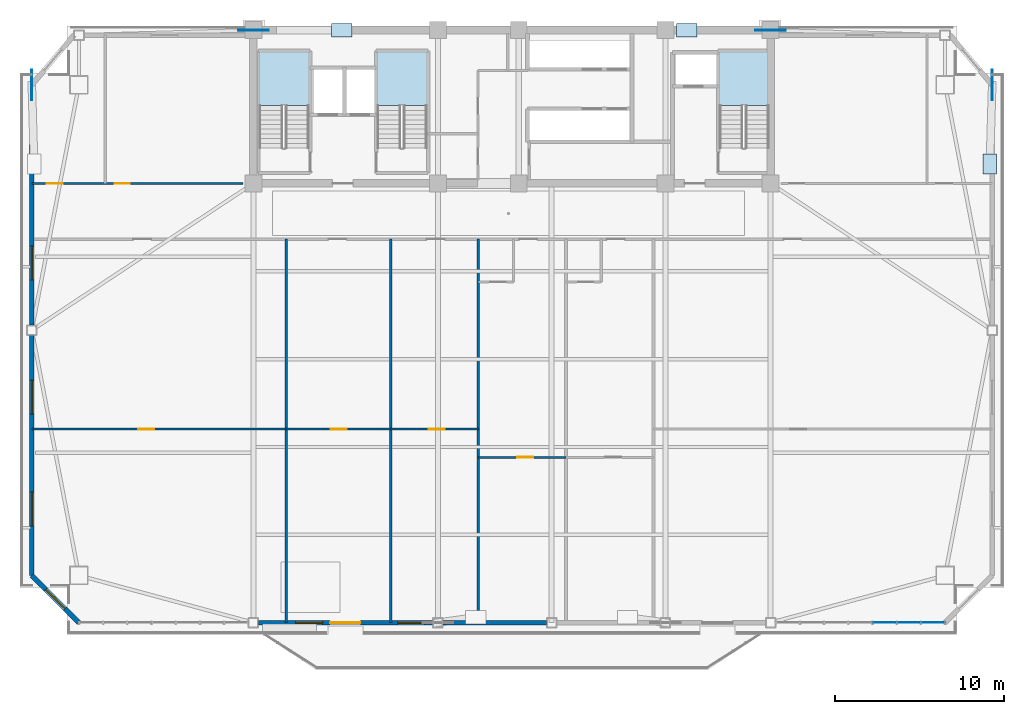
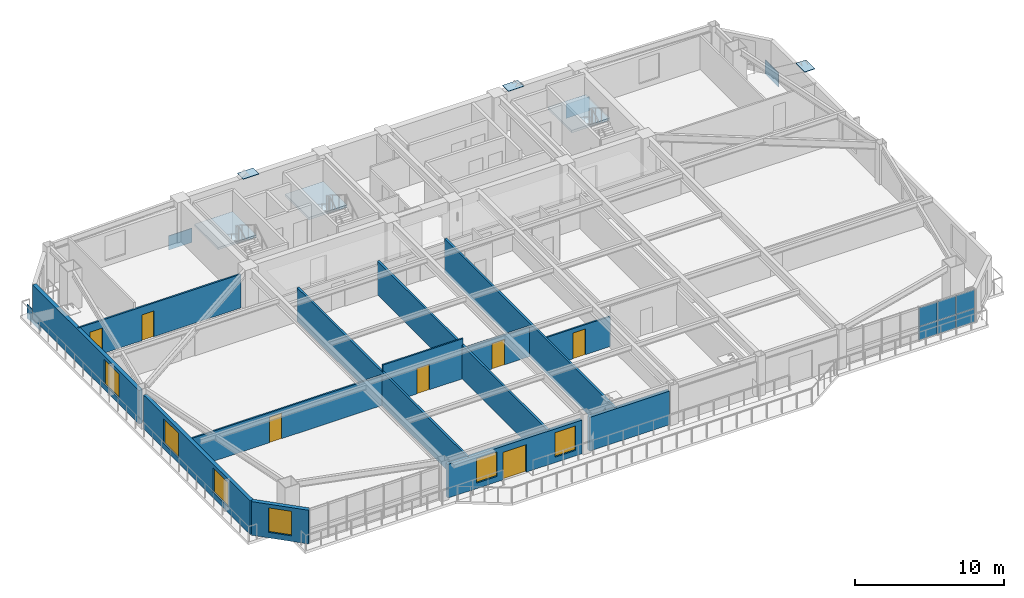
# One storey, part 8 of 17: 13 plates, 13 walls, 7 doors, 6 windows, 3 slabs, 13 openings, 4 elements without a shape of their own.
"""IFC4 building model written with IfcOpenShell, lengths in metres."""

from ifc_helpers import new_model, si_unit, direction, frame, frame_2d, origin, origin_2d, place, context, subcontext, project, spatial, polyline, rectangle, outline, extrude, source, transform, mapped, material, layer, layer_set, type_object, element, fill, aggregate, save


model = new_model("IFC4")

# Units and contexts
model_context = context("Model", 3, precision=1e-05, world=origin(), true_north=direction((0.0, 1.0)))
body_context = subcontext(model_context, "Body", "Model", "MODEL_VIEW")
ifc_project = project(units=[si_unit("LENGTHUNIT", "METRE"), si_unit("AREAUNIT", "SQUARE_METRE"), si_unit("VOLUMEUNIT", "CUBIC_METRE"), si_unit("PLANEANGLEUNIT", "RADIAN"), si_unit("MASSUNIT", "GRAM", prefix="KILO")], contexts=[model_context])

# Site, building, storey
site_placement = place(None, origin())
site = spatial("IfcSite", under=ifc_project, at=site_placement, CompositionType="ELEMENT")
building_placement = place(site_placement, origin())
building = spatial("IfcBuilding", under=site, at=building_placement, Name="Giltprow Tower", CompositionType="ELEMENT")
storey_placement = place(building_placement, frame((0.0, 0.0, 202.699951171875)))
storey = spatial("IfcBuildingStorey", under=building, at=storey_placement, Name="L51", CompositionType="ELEMENT", Elevation=202.699951171875)

# Stair, slab
ifc_material_1 = material(Name="Concrete C40", Category="concrete")
stair_type_1 = type_object("IfcStairType", Name="STR-ST-1", PredefinedType="HALF_TURN_STAIR", material=ifc_material_1)
stair_1_placement = place(storey_placement, origin())
stair_1 = element("IfcStair", 1, at=stair_1_placement, inside=storey, type_object=stair_type_1, Name="L51 Core Exit Stair ST-1", PredefinedType="HALF_TURN_STAIR")
ifc_layer_1 = layer(ifc_material_1, 0.179931640625, Name="Concrete C40")
ifc_layer_set_1 = layer_set([ifc_layer_1], Name="Concrete C40")
slab_type_1 = type_object("IfcSlabType", Name="SLD-ST-1", PredefinedType="LANDING", material=ifc_layer_set_1)
slab_1_placement = place(storey_placement, frame((0.0, 0.0, 1.570068359375)))
slab_1 = element("IfcSlab", 2, at=slab_1_placement, type_object=slab_type_1, Name="ST-1 landing 1", PredefinedType="LANDING", context=body_context, shape_type="SweptSolid", body=[
    extrude(outline(polyline([(23.159912109375, 42.070068359375), (23.159912109375, 45.25), (20.199951171875, 45.25), (20.199951171875, 42.070068359375), (23.159912109375, 42.070068359375)])), origin(), (0.0, 0.0, 1.0), 0.179931640625),
])
aggregate(stair_1, [slab_1])

stair_type_2 = type_object("IfcStairType", Name="STR-ST-2", PredefinedType="HALF_TURN_STAIR", material=ifc_material_1)
stair_2_placement = place(storey_placement, origin())
stair_2 = element("IfcStair", 3, at=stair_2_placement, inside=storey, type_object=stair_type_2, Name="L51 Core Exit Stair ST-2", PredefinedType="HALF_TURN_STAIR")
ifc_layer_2 = layer(ifc_material_1, 0.18798828125, Name="Concrete C40")
ifc_layer_set_2 = layer_set([ifc_layer_2], Name="Concrete C40")
slab_type_2 = type_object("IfcSlabType", Name="SLD-ST-2", PredefinedType="LANDING", material=ifc_layer_set_2)
slab_2_placement = place(storey_placement, frame((0.0, 0.0, 1.56201171875)))
slab_2 = element("IfcSlab", 4, at=slab_2_placement, type_object=slab_type_2, Name="ST-2 landing 1", PredefinedType="LANDING", context=body_context, shape_type="SweptSolid", body=[
    extrude(outline(polyline([(30.159912109375, 42.070068359375), (30.159912109375, 45.25), (27.199951171875, 45.25), (27.199951171875, 42.070068359375), (30.159912109375, 42.070068359375)])), origin(), (0.0, 0.0, 1.0), 0.18798828125),
])
aggregate(stair_2, [slab_2])

stair_type_3 = type_object("IfcStairType", Name="STR-ST-3", PredefinedType="HALF_TURN_STAIR", material=ifc_material_1)
stair_3_placement = place(storey_placement, origin())
stair_3 = element("IfcStair", 5, at=stair_3_placement, inside=storey, type_object=stair_type_3, Name="L51 Core Exit Stair ST-3", PredefinedType="HALF_TURN_STAIR")
ifc_layer_3 = layer(ifc_material_1, 0.196044921875, Name="Concrete C40")
ifc_layer_set_3 = layer_set([ifc_layer_3], Name="Concrete C40")
slab_type_3 = type_object("IfcSlabType", Name="SLD-ST-3", PredefinedType="LANDING", material=ifc_layer_set_3)
slab_3_placement = place(storey_placement, frame((0.0, 0.0, 1.553955078125)))
slab_3 = element("IfcSlab", 6, at=slab_3_placement, type_object=slab_type_3, Name="ST-3 landing 1", PredefinedType="LANDING", context=body_context, shape_type="SweptSolid", body=[
    extrude(outline(polyline([(50.4599609375, 42.070068359375), (50.4599609375, 45.25), (47.5, 45.25), (47.5, 42.070068359375), (50.4599609375, 42.070068359375)])), origin(), (0.0, 0.0, 1.0), 0.196044921875),
])
aggregate(stair_3, [slab_3])

# Plates
ifc_material_2 = material(Name="Structural steel Q420GJC", Category="steel")
plate_type_1 = type_object("IfcPlateType", Name="PLT-NODE-MBN1", PredefinedType="USERDEFINED", material=ifc_material_2)
shared_shape_1 = source(origin(), body_context, "Body", "SweptSolid", [
    extrude(rectangle(XDim=1.800048828125, YDim=0.050048828125, at=origin_2d()), origin(), (0.0, 0.0, 1.0), 1.14990234375),
])
for number, where, z_axis, x_axis, name in (
    (7, (19.85009765625, 46.550048828125, -0.71484375), (0.0, 0.0, 1.0), (1.0, 0.0, 0.0), "Mega-Brace Node L51-N-LA"),
    (8, (50.550048828125, 46.550048828125, -0.71484375), (0.0, 0.0, 1.0), (1.0, 0.0, 0.0), "Mega-Brace Node L51-N-RA"),
    (9, (6.702880859375, 43.300048828125, -0.574951171875), (0.0, 0.0, 1.0), (0.0, 1.0, 0.0), "Mega-Brace Node L51-W-RA"),
    (10, (63.697998046875, 43.300048828125, -0.574951171875), (0.0, 0.0, 1.0), (0.0, 1.0, 0.0), "Mega-Brace Node L51-E-RA"),
):
    element("IfcPlate", number, at=place(storey_placement, frame(where, z_axis=z_axis, x_axis=x_axis)), inside=storey, type_object=plate_type_1, Name=name, ObjectType="GUSSET", PredefinedType="USERDEFINED", context=body_context, shape_type="MappedRepresentation", body=[
        mapped(shared_shape_1, transform((0.0, 0.0, 0.0), x_axis=(1.0, 0.0, 0.0), y_axis=(0.0, 1.0, 0.0), z_axis=(0.0, 0.0, 1.0), scale=1.0)),
    ])
plate_type_2 = type_object("IfcPlateType", Name="PLT-CAP-SEAL", PredefinedType="USERDEFINED", material=ifc_material_2)
shared_shape_2 = source(origin(), body_context, "Body", "SweptSolid", [
    extrude(rectangle(XDim=1.199951171875, YDim=0.800048828125, at=origin_2d()), origin(), (0.0, 0.0, 1.0), 0.034912109375),
])
for number, where, z_axis, x_axis, name in (
    (11, (25.10009765625, 46.550048828125, 3.3427734375), (0.0, 0.0, 1.0), (1.0, 0.0, 0.0), "Mega-Brace Node L51-N-LB"),
    (12, (45.56689453125, 46.550048828125, 3.3427734375), (0.0, 0.0, 1.0), (1.0, 0.0, 0.0), "Mega-Brace Node L51-N-RB"),
    (13, (63.55908203125, 38.60302734375, 3.482421875), (0.0, 0.0, 1.0), (0.0, 1.0, 0.0), "Mega-Brace Node L51-E-RB"),
):
    element("IfcPlate", number, at=place(storey_placement, frame(where, z_axis=z_axis, x_axis=x_axis)), inside=storey, type_object=plate_type_2, Name=name, ObjectType="SPLICE", PredefinedType="USERDEFINED", context=body_context, shape_type="MappedRepresentation", body=[
        mapped(shared_shape_2, transform((0.0, 0.0, 0.0), x_axis=(1.0, 0.0, 0.0), y_axis=(0.0, 1.0, 0.0), z_axis=(0.0, 0.0, 1.0), scale=1.0)),
    ])

# Curtain wall, plates
ifc_material_3 = material(Name="Anodized bronze", Category="metal")
ifc_layer_4 = layer(ifc_material_3, 0.179931640625, Name="Anodized bronze")
ifc_layer_set_4 = layer_set([ifc_layer_4], Name="Anodized bronze")
curtain_wall_type = type_object("IfcCurtainWallType", Name="CW-HTL-BRONZE", PredefinedType="NOTDEFINED", material=ifc_layer_set_4)
curtain_wall_placement = place(storey_placement, origin())
curtain_wall = element("IfcCurtainWall", 14, at=curtain_wall_placement, inside=storey, type_object=curtain_wall_type, Name="L51 South Recessed Curtain Wall 6", PredefinedType="NOTDEFINED")
ifc_material_4 = material(Name="Insulated glass", Category="glass")
plate_type_3 = type_object("IfcPlateType", Name="CW-PANEL-IGU-28", PredefinedType="CURTAIN_PANEL", material=ifc_material_4)
shared_shape_3 = source(origin(), body_context, "Body", "SweptSolid", [
    extrude(rectangle(XDim=1.405029296875, YDim=0.028076171875, at=origin_2d()), origin(), (0.0, 0.0, 1.0), 1.0869140625),
])
plate_1_placement = place(storey_placement, frame((57.30908203125, 11.385986328125, 0.0546875), z_axis=(0.0, 0.0, 1.0), x_axis=(1.0, 0.0, 0.0)))
plate_1 = element("IfcPlate", 15, at=plate_1_placement, type_object=plate_type_3, Name="L51 South Recessed Curtain Wall 6 Glazing Panel 5-1", PredefinedType="CURTAIN_PANEL", context=body_context, shape_type="MappedRepresentation", body=[
    mapped(shared_shape_3, transform((0.0, 0.0, 0.0), x_axis=(1.0, 0.0, 0.0), y_axis=(0.0, 1.0, 0.0), z_axis=(0.0, 0.0, 1.0), scale=1.0)),
])
plate_2_placement = place(storey_placement, frame((58.7451171875, 11.385986328125, 0.0546875), z_axis=(0.0, 0.0, 1.0), x_axis=(1.0, 0.0, 0.0)))
plate_2 = element("IfcPlate", 16, at=plate_2_placement, type_object=plate_type_3, Name="L51 South Recessed Curtain Wall 6 Glazing Panel 6-1", PredefinedType="CURTAIN_PANEL", context=body_context, shape_type="MappedRepresentation", body=[
    mapped(shared_shape_3, transform((0.0, 0.0, 0.0), x_axis=(1.0, 0.0, 0.0), y_axis=(0.0, 1.0, 0.0), z_axis=(0.0, 0.0, 1.0), scale=1.0)),
])
plate_3_placement = place(storey_placement, frame((60.179931640625, 11.385986328125, 0.0546875), z_axis=(0.0, 0.0, 1.0), x_axis=(1.0, 0.0, 0.0)))
plate_3 = element("IfcPlate", 17, at=plate_3_placement, type_object=plate_type_3, Name="L51 South Recessed Curtain Wall 6 Glazing Panel 7-1", PredefinedType="CURTAIN_PANEL", context=body_context, shape_type="MappedRepresentation", body=[
    mapped(shared_shape_3, transform((0.0, 0.0, 0.0), x_axis=(1.0, 0.0, 0.0), y_axis=(0.0, 1.0, 0.0), z_axis=(0.0, 0.0, 1.0), scale=1.0)),
])
shared_shape_4 = source(origin(), body_context, "Body", "SweptSolid", [
    extrude(rectangle(XDim=1.405029296875, YDim=0.028076171875, at=origin_2d()), origin(), (0.0, 0.0, 1.0), 1.527099609375),
])
plate_4_placement = place(storey_placement, frame((57.30908203125, 11.385986328125, 1.16845703125), z_axis=(0.0, 0.0, 1.0), x_axis=(1.0, 0.0, 0.0)))
plate_4 = element("IfcPlate", 18, at=plate_4_placement, type_object=plate_type_3, Name="L51 South Recessed Curtain Wall 6 Glazing Panel 5-2", PredefinedType="CURTAIN_PANEL", context=body_context, shape_type="MappedRepresentation", body=[
    mapped(shared_shape_4, transform((0.0, 0.0, 0.0), x_axis=(1.0, 0.0, 0.0), y_axis=(0.0, 1.0, 0.0), z_axis=(0.0, 0.0, 1.0), scale=1.0)),
])
plate_5_placement = place(storey_placement, frame((58.7451171875, 11.385986328125, 1.16845703125), z_axis=(0.0, 0.0, 1.0), x_axis=(1.0, 0.0, 0.0)))
plate_5 = element("IfcPlate", 19, at=plate_5_placement, type_object=plate_type_3, Name="L51 South Recessed Curtain Wall 6 Glazing Panel 6-2", PredefinedType="CURTAIN_PANEL", context=body_context, shape_type="MappedRepresentation", body=[
    mapped(shared_shape_4, transform((0.0, 0.0, 0.0), x_axis=(1.0, 0.0, 0.0), y_axis=(0.0, 1.0, 0.0), z_axis=(0.0, 0.0, 1.0), scale=1.0)),
])
plate_6_placement = place(storey_placement, frame((60.179931640625, 11.385986328125, 1.16845703125), z_axis=(0.0, 0.0, 1.0), x_axis=(1.0, 0.0, 0.0)))
plate_6 = element("IfcPlate", 20, at=plate_6_placement, type_object=plate_type_3, Name="L51 South Recessed Curtain Wall 6 Glazing Panel 7-2", PredefinedType="CURTAIN_PANEL", context=body_context, shape_type="MappedRepresentation", body=[
    mapped(shared_shape_4, transform((0.0, 0.0, 0.0), x_axis=(1.0, 0.0, 0.0), y_axis=(0.0, 1.0, 0.0), z_axis=(0.0, 0.0, 1.0), scale=1.0)),
])
aggregate(curtain_wall, [plate_1, plate_4, plate_2, plate_5, plate_3, plate_6])

# Wall, opening, window
ifc_material_5 = material(Name="Precast concrete C40", Category="concrete")
ifc_layer_5 = layer(ifc_material_5, 0.300048828125, Name="Precast concrete C40")
ifc_layer_set_5 = layer_set([ifc_layer_5], Name="Precast concrete C40")
wall_type_1 = type_object("IfcWallType", Name="EW-NOTCH-CHAMFER-300", PredefinedType="SOLIDWALL", material=ifc_layer_set_5)
wall_1_placement = place(storey_placement, frame((6.702880859375, 14.18603515625, 0.0), z_axis=(0.0, 0.0, 1.0), x_axis=(0.707106781187, -0.707106781187, 0.0)))
wall_1 = element("IfcWall", 21, at=wall_1_placement, inside=storey, type_object=wall_type_1, Name="L51 Corner Notch Wall SW", PredefinedType="SOLIDWALL", context=body_context, shape_type="SweptSolid", body=[
    extrude(rectangle(XDim=3.9599609375, YDim=0.300048828125, at=frame_2d((1.97998046875, 0.0))), origin(), (0.0, 0.0, 1.0), 2.75),
])
opening_1_placement = place(wall_1_placement, frame((1.179931640625, 0.0, 0.449951171875)))
opening_1 = element("IfcOpeningElement", 22, at=opening_1_placement, cuts=wall_1, Name="Opening WN17", PredefinedType="OPENING", context=body_context, shape_type="SweptSolid", body=[
    extrude(rectangle(XDim=1.60009765625, YDim=2.0, at=frame_2d((0.800048828125, 1.0))), frame((0.0, 0.159912109375, 0.0), z_axis=(0.0, -1.0, 0.0), x_axis=(1.0, 0.0, 0.0)), (0.0, 0.0, 1.0), 0.320068359375),
])
window_type_1 = type_object("IfcWindowType", Name="WN-COR-1600x2000", PartitioningType="SINGLE_PANEL", PredefinedType="WINDOW", material=ifc_material_4)
shared_shape_5 = source(origin(), body_context, "Body", "SweptSolid", [
    extrude(rectangle(XDim=1.60009765625, YDim=2.0, at=frame_2d((0.800048828125, 1.0))), frame((0.0, 0.030029296875, 0.0), z_axis=(0.0, -1.0, 0.0), x_axis=(1.0, 0.0, 0.0)), (0.0, 0.0, 1.0), 0.06005859375),
])
window_1_placement = place(opening_1_placement, origin())
window_1 = element("IfcWindow", 23, at=window_1_placement, inside=storey, type_object=window_type_1, Name="L51 Corner Notch Window SW", OverallHeight=2.0, OverallWidth=1.60009765625, PartitioningType="SINGLE_PANEL", PredefinedType="WINDOW", context=body_context, shape_type="MappedRepresentation", body=[
    mapped(shared_shape_5, transform((0.0, 0.0, 0.0), x_axis=(1.0, 0.0, 0.0), y_axis=(0.0, 1.0, 0.0), z_axis=(0.0, 0.0, 1.0), scale=1.0)),
])
fill(opening_1, window_1)

# Wall, openings, windows, door
ifc_layer_6 = layer(ifc_material_5, 0.280029296875, Name="Precast concrete C40")
ifc_layer_set_6 = layer_set([ifc_layer_6], Name="Precast concrete C40")
wall_type_2 = type_object("IfcWallType", Name="EW-TOW-BRONZE-280", PredefinedType="SOLIDWALL", material=ifc_layer_set_6)
wall_2_placement = place(storey_placement, frame((20.14990234375, 11.385986328125, 0.0), z_axis=(0.0, 0.0, 1.0), x_axis=(1.0, 0.0, 0.0)))
wall_2 = element("IfcWall", 24, at=wall_2_placement, inside=storey, type_object=wall_type_2, Name="L51 South Expressed Frame Wall 2", PredefinedType="SOLIDWALL", context=body_context, shape_type="SweptSolid", body=[
    extrude(rectangle(XDim=10.35009765625, YDim=0.280029296875, at=frame_2d((5.175048828125, 0.0))), origin(), (0.0, 0.0, 1.0), 2.75),
])
opening_2_placement = place(wall_2_placement, frame((4.25, 0.0, 0.0)))
opening_2 = element("IfcOpeningElement", 25, at=opening_2_placement, cuts=wall_2, Name="Opening ED25", PredefinedType="OPENING", context=body_context, shape_type="SweptSolid", body=[
    extrude(rectangle(XDim=1.800048828125, YDim=2.25, at=frame_2d((0.89990234375, 1.125))), frame((0.0, 0.14990234375, 0.0), z_axis=(0.0, -1.0, 0.0), x_axis=(1.0, 0.0, 0.0)), (0.0, 0.0, 1.0), 0.300048828125),
])
opening_3_placement = place(wall_2_placement, frame((2.205078125, 0.0, 0.449951171875)))
opening_3 = element("IfcOpeningElement", 26, at=opening_3_placement, cuts=wall_2, Name="Opening WN17", PredefinedType="OPENING", context=body_context, shape_type="SweptSolid", body=[
    extrude(rectangle(XDim=1.60009765625, YDim=2.0, at=frame_2d((0.800048828125, 1.0))), frame((0.0, 0.14990234375, 0.0), z_axis=(0.0, -1.0, 0.0), x_axis=(1.0, 0.0, 0.0)), (0.0, 0.0, 1.0), 0.300048828125),
])
opening_4_placement = place(wall_2_placement, frame((8.27001953125, 0.0, 0.449951171875)))
opening_4 = element("IfcOpeningElement", 27, at=opening_4_placement, cuts=wall_2, Name="Opening WN17", PredefinedType="OPENING", context=body_context, shape_type="SweptSolid", body=[
    extrude(rectangle(XDim=1.60009765625, YDim=2.0, at=frame_2d((0.800048828125, 1.0))), frame((0.0, 0.14990234375, 0.0), z_axis=(0.0, -1.0, 0.0), x_axis=(1.0, 0.0, 0.0)), (0.0, 0.0, 1.0), 0.300048828125),
])
window_2_placement = place(opening_3_placement, origin())
window_2 = element("IfcWindow", 28, at=window_2_placement, inside=storey, type_object=window_type_1, Name="L51 South Window 2A", OverallHeight=2.0, OverallWidth=1.60009765625, PartitioningType="SINGLE_PANEL", PredefinedType="WINDOW", context=body_context, shape_type="MappedRepresentation", body=[
    mapped(shared_shape_5, transform((0.0, 0.0, 0.0), x_axis=(1.0, 0.0, 0.0), y_axis=(0.0, 1.0, 0.0), z_axis=(0.0, 0.0, 1.0), scale=1.0)),
])
fill(opening_3, window_2)
window_3_placement = place(opening_4_placement, origin())
window_3 = element("IfcWindow", 29, at=window_3_placement, inside=storey, type_object=window_type_1, Name="L51 South Window 2B", OverallHeight=2.0, OverallWidth=1.60009765625, PartitioningType="SINGLE_PANEL", PredefinedType="WINDOW", context=body_context, shape_type="MappedRepresentation", body=[
    mapped(shared_shape_5, transform((0.0, 0.0, 0.0), x_axis=(1.0, 0.0, 0.0), y_axis=(0.0, 1.0, 0.0), z_axis=(0.0, 0.0, 1.0), scale=1.0)),
])
fill(opening_4, window_3)
ifc_material_6 = material(Name="Anodized bronze and glass", Category="glass")
door_type_1 = type_object("IfcDoorType", Name="DR-BALC-SLIDE-1800", OperationType="SLIDING_TO_LEFT", PredefinedType="DOOR", material=ifc_material_6)
shared_shape_6 = source(origin(), body_context, "Body", "SweptSolid", [
    extrude(rectangle(XDim=1.800048828125, YDim=2.25, at=frame_2d((0.89990234375, 1.125))), frame((0.0, 0.02490234375, 0.0), z_axis=(0.0, -1.0, 0.0), x_axis=(1.0, 0.0, 0.0)), (0.0, 0.0, 1.0), 0.050048828125),
])
door_1_placement = place(opening_2_placement, origin())
door_1 = element("IfcDoor", 30, at=door_1_placement, inside=storey, type_object=door_type_1, Name="L51 Waterfront Balcony Sliding Door 1", OperationType="SLIDING_TO_LEFT", OverallHeight=2.25, OverallWidth=1.800048828125, PredefinedType="DOOR", context=body_context, shape_type="MappedRepresentation", body=[
    mapped(shared_shape_6, transform((0.0, 0.0, 0.0), x_axis=(1.0, 0.0, 0.0), y_axis=(0.0, 1.0, 0.0), z_axis=(0.0, 0.0, 1.0), scale=1.0)),
])
fill(opening_2, door_1)

# Wall
wall_3_placement = place(storey_placement, frame((31.10009765625, 11.385986328125, 0.0), z_axis=(0.0, 0.0, 1.0), x_axis=(1.0, 0.0, 0.0)))
element("IfcWall", 31, at=wall_3_placement, inside=storey, type_object=wall_type_2, Name="L51 South Expressed Frame Wall 3", PredefinedType="SOLIDWALL", context=body_context, shape_type="SweptSolid", body=[
    extrude(rectangle(XDim=6.14990234375, YDim=0.280029296875, at=frame_2d((3.074951171875, 0.0))), origin(), (0.0, 0.0, 1.0), 2.75),
])

# Wall, openings, windows
wall_4_placement = place(storey_placement, frame((6.702880859375, 14.18603515625, 0.0), z_axis=(0.0, 0.0, 1.0), x_axis=(0.0, 1.0, 0.0)))
wall_4 = element("IfcWall", 32, at=wall_4_placement, inside=storey, type_object=wall_type_2, Name="L51 W Wing Masonry Wall 1", PredefinedType="SOLIDWALL", context=body_context, shape_type="SweptSolid", body=[
    extrude(rectangle(XDim=14.257080078125, YDim=0.280029296875, at=frame_2d((7.12841796875, 0.0))), origin(), (0.0, 0.0, 1.0), 2.75),
])
opening_5_placement = place(wall_4_placement, frame((2.947021484375, 0.0, 0.449951171875)))
opening_5 = element("IfcOpeningElement", 33, at=opening_5_placement, cuts=wall_4, Name="Opening WN21", PredefinedType="OPENING", context=body_context, shape_type="SweptSolid", body=[
    extrude(rectangle(XDim=2.0, YDim=2.0, at=frame_2d((1.0, 1.0))), frame((0.0, 0.14990234375, 0.0), z_axis=(0.0, -1.0, 0.0), x_axis=(1.0, 0.0, 0.0)), (0.0, 0.0, 1.0), 0.300048828125),
])
opening_6_placement = place(wall_4_placement, frame((9.574951171875, 0.0, 0.449951171875)))
opening_6 = element("IfcOpeningElement", 34, at=opening_6_placement, cuts=wall_4, Name="Opening WN21", PredefinedType="OPENING", context=body_context, shape_type="SweptSolid", body=[
    extrude(rectangle(XDim=2.0, YDim=2.0, at=frame_2d((1.0, 1.0))), frame((0.0, 0.14990234375, 0.0), z_axis=(0.0, -1.0, 0.0), x_axis=(1.0, 0.0, 0.0)), (0.0, 0.0, 1.0), 0.300048828125),
])
window_type_2 = type_object("IfcWindowType", Name="WN-HTL-2000x2000", PartitioningType="DOUBLE_PANEL_VERTICAL", PredefinedType="WINDOW", material=ifc_material_4)
shared_shape_7 = source(origin(), body_context, "Body", "SweptSolid", [
    extrude(rectangle(XDim=2.0, YDim=2.0, at=frame_2d((1.0, 1.0))), frame((0.0, 0.030029296875, 0.0), z_axis=(0.0, -1.0, 0.0), x_axis=(1.0, 0.0, 0.0)), (0.0, 0.0, 1.0), 0.06005859375),
])
window_4_placement = place(opening_5_placement, origin())
window_4 = element("IfcWindow", 35, at=window_4_placement, inside=storey, type_object=window_type_2, Name="L51 W Wing Window 1-1A", OverallHeight=2.0, OverallWidth=2.0, PartitioningType="SINGLE_PANEL", PredefinedType="WINDOW", context=body_context, shape_type="MappedRepresentation", body=[
    mapped(shared_shape_7, transform((0.0, 0.0, 0.0), x_axis=(1.0, 0.0, 0.0), y_axis=(0.0, 1.0, 0.0), z_axis=(0.0, 0.0, 1.0), scale=1.0)),
])
fill(opening_5, window_4)
window_5_placement = place(opening_6_placement, origin())
window_5 = element("IfcWindow", 36, at=window_5_placement, inside=storey, type_object=window_type_2, Name="L51 W Wing Window 1-1B", OverallHeight=2.0, OverallWidth=2.0, PartitioningType="SINGLE_PANEL", PredefinedType="WINDOW", context=body_context, shape_type="MappedRepresentation", body=[
    mapped(shared_shape_7, transform((0.0, 0.0, 0.0), x_axis=(1.0, 0.0, 0.0), y_axis=(0.0, 1.0, 0.0), z_axis=(0.0, 0.0, 1.0), scale=1.0)),
])
fill(opening_6, window_5)

# Wall, opening, window
wall_5_placement = place(storey_placement, frame((6.702880859375, 29.04296875, 0.0), z_axis=(0.0, 0.0, 1.0), x_axis=(0.0, 1.0, 0.0)))
wall_5 = element("IfcWall", 37, at=wall_5_placement, inside=storey, type_object=wall_type_2, Name="L51 W Wing Masonry Wall 2", PredefinedType="SOLIDWALL", context=body_context, shape_type="SweptSolid", body=[
    extrude(rectangle(XDim=14.257080078125, YDim=0.280029296875, at=frame_2d((7.12841796875, 0.0))), origin(), (0.0, 0.0, 1.0), 2.75),
])
opening_7_placement = place(wall_5_placement, frame((2.69189453125, 0.0, 0.449951171875)))
opening_7 = element("IfcOpeningElement", 38, at=opening_7_placement, cuts=wall_5, Name="Opening WN21", PredefinedType="OPENING", context=body_context, shape_type="SweptSolid", body=[
    extrude(rectangle(XDim=2.0, YDim=2.0, at=frame_2d((1.0, 1.0))), frame((0.0, 0.14990234375, 0.0), z_axis=(0.0, -1.0, 0.0), x_axis=(1.0, 0.0, 0.0)), (0.0, 0.0, 1.0), 0.300048828125),
])
window_6_placement = place(opening_7_placement, origin())
window_6 = element("IfcWindow", 39, at=window_6_placement, inside=storey, type_object=window_type_2, Name="L51 W Wing Window 2-1", OverallHeight=2.0, OverallWidth=2.0, PartitioningType="SINGLE_PANEL", PredefinedType="WINDOW", context=body_context, shape_type="MappedRepresentation", body=[
    mapped(shared_shape_7, transform((0.0, 0.0, 0.0), x_axis=(1.0, 0.0, 0.0), y_axis=(0.0, 1.0, 0.0), z_axis=(0.0, 0.0, 1.0), scale=1.0)),
])
fill(opening_7, window_6)

# Walls
ifc_material_7 = material(Name="Gypsum stud partition", Category="gypsum")
ifc_layer_7 = layer(ifc_material_7, 0.159912109375, Name="Gypsum stud partition")
ifc_layer_set_7 = layer_set([ifc_layer_7], Name="Gypsum stud partition")
wall_type_3 = type_object("IfcWallType", Name="IW-DEMISE-160", PredefinedType="PARTITIONING", material=ifc_layer_set_7)
for number, where, z_axis, x_axis, name in (
    (40, (21.800048828125, 11.385986328125, 0.0), (0.0, 0.0, 1.0), (0.0, 1.0, 0.0), "L51 Hotel Demising Wall 1"),
    (41, (28.0, 11.385986328125, 0.0), (0.0, 0.0, 1.0), (0.0, 1.0, 0.0), "L51 Hotel Demising Wall 2"),
    (42, (33.199951171875, 11.385986328125, 0.0), (0.0, 0.0, 1.0), (0.0, 1.0, 0.0), "L51 Hotel Demising Wall 3"),
):
    element("IfcWall", number, at=place(storey_placement, frame(where, z_axis=z_axis, x_axis=x_axis)), inside=storey, type_object=wall_type_3, Name=name, PredefinedType="PARTITIONING", context=body_context, shape_type="SweptSolid", body=[
        extrude(rectangle(XDim=22.763916015625, YDim=0.159912109375, at=frame_2d((11.3818359375, 0.0))), origin(), (0.0, 0.0, 1.0), 2.755126953125),
    ])

# Wall, opening, door
ifc_layer_8 = layer(ifc_material_7, 0.1201171875, Name="Gypsum stud partition")
ifc_layer_set_8 = layer_set([ifc_layer_8], Name="Gypsum stud partition")
wall_type_4 = type_object("IfcWallType", Name="IW-ROOM-120", PredefinedType="PARTITIONING", material=ifc_layer_set_8)
wall_6_placement = place(storey_placement, frame((6.702880859375, 22.867919921875, 0.0), z_axis=(0.0, 0.0, 1.0), x_axis=(1.0, 0.0, 0.0)))
wall_6 = element("IfcWall", 43, at=wall_6_placement, inside=storey, type_object=wall_type_4, Name="L51 Amenity Mid Wall 1", PredefinedType="PARTITIONING", context=body_context, shape_type="SweptSolid", body=[
    extrude(rectangle(XDim=15.09716796875, YDim=0.1201171875, at=frame_2d((7.548583984375, 0.0))), origin(), (0.0, 0.0, 1.0), 2.455078125),
])
opening_8_placement = place(wall_6_placement, frame((6.324951171875, 0.0, 0.0)))
opening_8 = element("IfcOpeningElement", 44, at=opening_8_placement, cuts=wall_6, Name="Opening ID11", PredefinedType="OPENING", context=body_context, shape_type="SweptSolid", body=[
    extrude(rectangle(XDim=0.949951171875, YDim=2.10009765625, at=frame_2d((0.47509765625, 1.050048828125))), frame((0.0, 0.070068359375, 0.0), z_axis=(0.0, -1.0, 0.0), x_axis=(1.0, 0.0, 0.0)), (0.0, 0.0, 1.0), 0.14013671875),
])
ifc_material_8 = material(Name="Engineered timber", Category="wood")
door_type_2 = type_object("IfcDoorType", Name="DR-ROOM-950", OperationType="SINGLE_SWING_RIGHT", PredefinedType="DOOR", material=ifc_material_8)
shared_shape_8 = source(origin(), body_context, "Body", "SweptSolid", [
    extrude(rectangle(XDim=0.949951171875, YDim=2.10009765625, at=frame_2d((0.47509765625, 1.050048828125))), frame((0.0, 0.02490234375, 0.0), z_axis=(0.0, -1.0, 0.0), x_axis=(1.0, 0.0, 0.0)), (0.0, 0.0, 1.0), 0.050048828125),
])
door_2_placement = place(opening_8_placement, origin())
door_2 = element("IfcDoor", 45, at=door_2_placement, inside=storey, type_object=door_type_2, Name="L51 Linen Supply Store 1 Inner Door", OperationType="SINGLE_SWING_RIGHT", OverallHeight=2.10009765625, OverallWidth=0.949951171875, PredefinedType="DOOR", context=body_context, shape_type="MappedRepresentation", body=[
    mapped(shared_shape_8, transform((0.0, 0.0, 0.0), x_axis=(1.0, 0.0, 0.0), y_axis=(0.0, 1.0, 0.0), z_axis=(0.0, 0.0, 1.0), scale=1.0)),
])
fill(opening_8, door_2)

wall_7_placement = place(storey_placement, frame((21.800048828125, 22.867919921875, 0.0), z_axis=(0.0, 0.0, 1.0), x_axis=(1.0, 0.0, 0.0)))
wall_7 = element("IfcWall", 46, at=wall_7_placement, inside=storey, type_object=wall_type_4, Name="L51 Amenity Mid Wall 2", PredefinedType="PARTITIONING", context=body_context, shape_type="SweptSolid", body=[
    extrude(rectangle(XDim=6.199951171875, YDim=0.1201171875, at=frame_2d((3.10009765625, 0.0))), origin(), (0.0, 0.0, 1.0), 3.27001953125),
])
opening_9_placement = place(wall_7_placement, frame((2.64599609375, 0.0, 0.0)))
opening_9 = element("IfcOpeningElement", 47, at=opening_9_placement, cuts=wall_7, Name="Opening ID11", PredefinedType="OPENING", context=body_context, shape_type="SweptSolid", body=[
    extrude(rectangle(XDim=0.949951171875, YDim=2.10009765625, at=frame_2d((0.47509765625, 1.050048828125))), frame((0.0, 0.070068359375, 0.0), z_axis=(0.0, -1.0, 0.0), x_axis=(1.0, 0.0, 0.0)), (0.0, 0.0, 1.0), 0.14013671875),
])
door_3_placement = place(opening_9_placement, origin())
door_3 = element("IfcDoor", 48, at=door_3_placement, inside=storey, type_object=door_type_2, Name="L51 Silverware Vault Store 2 Inner Door", OperationType="SINGLE_SWING_RIGHT", OverallHeight=2.10009765625, OverallWidth=0.949951171875, PredefinedType="DOOR", context=body_context, shape_type="MappedRepresentation", body=[
    mapped(shared_shape_8, transform((0.0, 0.0, 0.0), x_axis=(1.0, 0.0, 0.0), y_axis=(0.0, 1.0, 0.0), z_axis=(0.0, 0.0, 1.0), scale=1.0)),
])
fill(opening_9, door_3)

wall_8_placement = place(storey_placement, frame((28.0, 22.867919921875, 0.0), z_axis=(0.0, 0.0, 1.0), x_axis=(1.0, 0.0, 0.0)))
wall_8 = element("IfcWall", 49, at=wall_8_placement, inside=storey, type_object=wall_type_4, Name="L51 Amenity Mid Wall 3", PredefinedType="PARTITIONING", context=body_context, shape_type="SweptSolid", body=[
    extrude(rectangle(XDim=5.199951171875, YDim=0.1201171875, at=frame_2d((2.60009765625, 0.0))), origin(), (0.0, 0.0, 1.0), 2.455078125),
])
opening_10_placement = place(wall_8_placement, frame((2.24609375, 0.0, 0.0)))
opening_10 = element("IfcOpeningElement", 50, at=opening_10_placement, cuts=wall_8, Name="Opening ID11", PredefinedType="OPENING", context=body_context, shape_type="SweptSolid", body=[
    extrude(rectangle(XDim=0.949951171875, YDim=2.10009765625, at=frame_2d((0.47509765625, 1.050048828125))), frame((0.0, 0.070068359375, 0.0), z_axis=(0.0, -1.0, 0.0), x_axis=(1.0, 0.0, 0.0)), (0.0, 0.0, 1.0), 0.14013671875),
])
door_4_placement = place(opening_10_placement, origin())
door_4 = element("IfcDoor", 51, at=door_4_placement, inside=storey, type_object=door_type_2, Name="L51 Luggage Trunk Store 3 Inner Door", OperationType="SINGLE_SWING_RIGHT", OverallHeight=2.10009765625, OverallWidth=0.949951171875, PredefinedType="DOOR", context=body_context, shape_type="MappedRepresentation", body=[
    mapped(shared_shape_8, transform((0.0, 0.0, 0.0), x_axis=(1.0, 0.0, 0.0), y_axis=(0.0, 1.0, 0.0), z_axis=(0.0, 0.0, 1.0), scale=1.0)),
])
fill(opening_10, door_4)

wall_9_placement = place(storey_placement, frame((33.199951171875, 21.193115234375, 0.0), z_axis=(0.0, 0.0, 1.0), x_axis=(1.0, 0.0, 0.0)))
wall_9 = element("IfcWall", 52, at=wall_9_placement, inside=storey, type_object=wall_type_4, Name="L51 Suite Parlour Divider 4", PredefinedType="PARTITIONING", context=body_context, shape_type="SweptSolid", body=[
    extrude(rectangle(XDim=5.199951171875, YDim=0.1201171875, at=frame_2d((2.60009765625, 0.0))), origin(), (0.0, 0.0, 1.0), 2.455078125),
])
opening_11_placement = place(wall_9_placement, frame((2.324951171875, 0.0, 0.0)))
opening_11 = element("IfcOpeningElement", 53, at=opening_11_placement, cuts=wall_9, Name="Opening ID11", PredefinedType="OPENING", context=body_context, shape_type="SweptSolid", body=[
    extrude(rectangle(XDim=0.949951171875, YDim=2.10009765625, at=frame_2d((0.47509765625, 1.050048828125))), frame((0.0, 0.070068359375, 0.0), z_axis=(0.0, -1.0, 0.0), x_axis=(1.0, 0.0, 0.0)), (0.0, 0.0, 1.0), 0.14013671875),
])
door_5_placement = place(opening_11_placement, origin())
door_5 = element("IfcDoor", 54, at=door_5_placement, inside=storey, type_object=door_type_2, Name="L51 Harbour Parlour 4 Door", OperationType="SINGLE_SWING_LEFT", OverallHeight=2.10009765625, OverallWidth=0.949951171875, PredefinedType="DOOR", context=body_context, shape_type="MappedRepresentation", body=[
    mapped(shared_shape_8, transform((0.0, 0.0, 0.0), x_axis=(1.0, 0.0, 0.0), y_axis=(0.0, 1.0, 0.0), z_axis=(0.0, 0.0, 1.0), scale=1.0)),
])
fill(opening_11, door_5)

# Wall, openings, doors
ifc_material_9 = material(Name="Concrete C30", Category="concrete")
ifc_layer_9 = layer(ifc_material_9, 0.1298828125, Name="Concrete C30")
ifc_layer_set_9 = layer_set([ifc_layer_9], Name="Concrete C30")
wall_type_5 = type_object("IfcWallType", Name="IW-WET-130", PredefinedType="PARTITIONING", material=ifc_layer_set_9)
wall_10_placement = place(storey_placement, frame((6.702880859375, 37.449951171875, 0.0), z_axis=(0.0, 0.0, 1.0), x_axis=(1.0, 0.0, 0.0)))
wall_10 = element("IfcWall", 55, at=wall_10_placement, inside=storey, type_object=wall_type_5, Name="L51 NW Wing South Wall", PredefinedType="PARTITIONING", context=body_context, shape_type="SweptSolid", body=[
    extrude(rectangle(XDim=12.547119140625, YDim=0.1298828125, at=frame_2d((6.2734375, 0.0))), origin(), (0.0, 0.0, 1.0), 2.755126953125),
])
opening_12_placement = place(wall_10_placement, frame((0.89990234375, 0.0, 0.0)))
opening_12 = element("IfcOpeningElement", 56, at=opening_12_placement, cuts=wall_10, Name="Opening ID11", PredefinedType="OPENING", context=body_context, shape_type="SweptSolid", body=[
    extrude(rectangle(XDim=0.949951171875, YDim=2.10009765625, at=frame_2d((0.47509765625, 1.050048828125))), frame((0.0, 0.074951171875, 0.0), z_axis=(0.0, -1.0, 0.0), x_axis=(1.0, 0.0, 0.0)), (0.0, 0.0, 1.0), 0.14990234375),
])
opening_13_placement = place(wall_10_placement, frame((4.9140625, 0.0, 0.0)))
opening_13 = element("IfcOpeningElement", 57, at=opening_13_placement, cuts=wall_10, Name="Opening ID15", PredefinedType="OPENING", context=body_context, shape_type="SweptSolid", body=[
    extrude(rectangle(XDim=0.89990234375, YDim=2.10009765625, at=frame_2d((0.449951171875, 1.050048828125))), frame((0.0, 0.074951171875, 0.0), z_axis=(0.0, -1.0, 0.0), x_axis=(1.0, 0.0, 0.0)), (0.0, 0.0, 1.0), 0.14990234375),
])
door_type_3 = type_object("IfcDoorType", Name="DR-WC-900", OperationType="SINGLE_SWING_LEFT", PredefinedType="DOOR", material=ifc_material_8)
shared_shape_9 = source(origin(), body_context, "Body", "SweptSolid", [
    extrude(rectangle(XDim=0.89990234375, YDim=2.10009765625, at=frame_2d((0.449951171875, 1.050048828125))), frame((0.0, 0.02490234375, 0.0), z_axis=(0.0, -1.0, 0.0), x_axis=(1.0, 0.0, 0.0)), (0.0, 0.0, 1.0), 0.050048828125),
])
door_6_placement = place(opening_13_placement, origin())
door_6 = element("IfcDoor", 58, at=door_6_placement, inside=storey, type_object=door_type_3, Name="L51 NW Washroom Door", OperationType="SINGLE_SWING_RIGHT", OverallHeight=2.10009765625, OverallWidth=0.89990234375, PredefinedType="DOOR", context=body_context, shape_type="MappedRepresentation", body=[
    mapped(shared_shape_9, transform((0.0, 0.0, 0.0), x_axis=(1.0, 0.0, 0.0), y_axis=(0.0, 1.0, 0.0), z_axis=(0.0, 0.0, 1.0), scale=1.0)),
])
fill(opening_13, door_6)
door_7_placement = place(opening_12_placement, origin())
door_7 = element("IfcDoor", 59, at=door_7_placement, inside=storey, type_object=door_type_2, Name="L51 Hotel Floor Butler Office West Door", OperationType="SINGLE_SWING_LEFT", OverallHeight=2.10009765625, OverallWidth=0.949951171875, PredefinedType="DOOR", context=body_context, shape_type="MappedRepresentation", body=[
    mapped(shared_shape_8, transform((0.0, 0.0, 0.0), x_axis=(1.0, 0.0, 0.0), y_axis=(0.0, 1.0, 0.0), z_axis=(0.0, 0.0, 1.0), scale=1.0)),
])
fill(opening_12, door_7)

save(model, "model.ifc")
